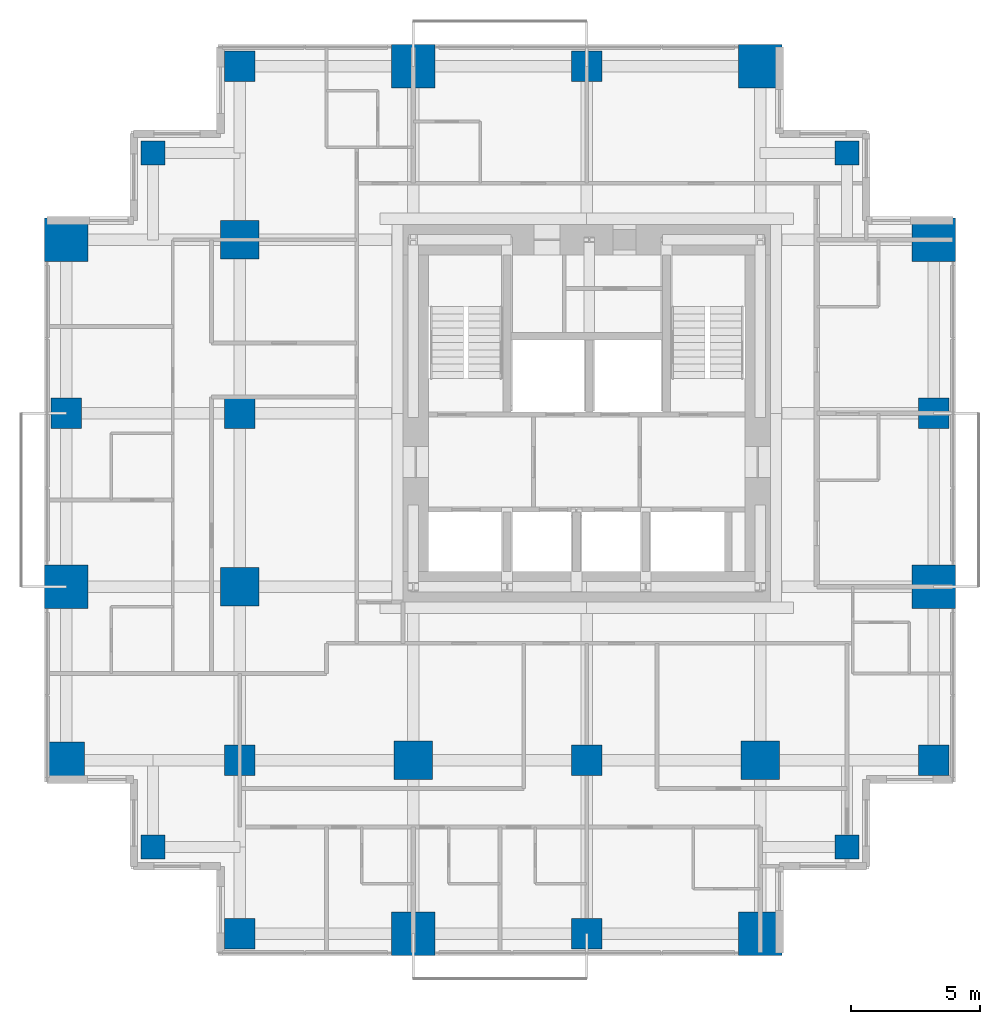
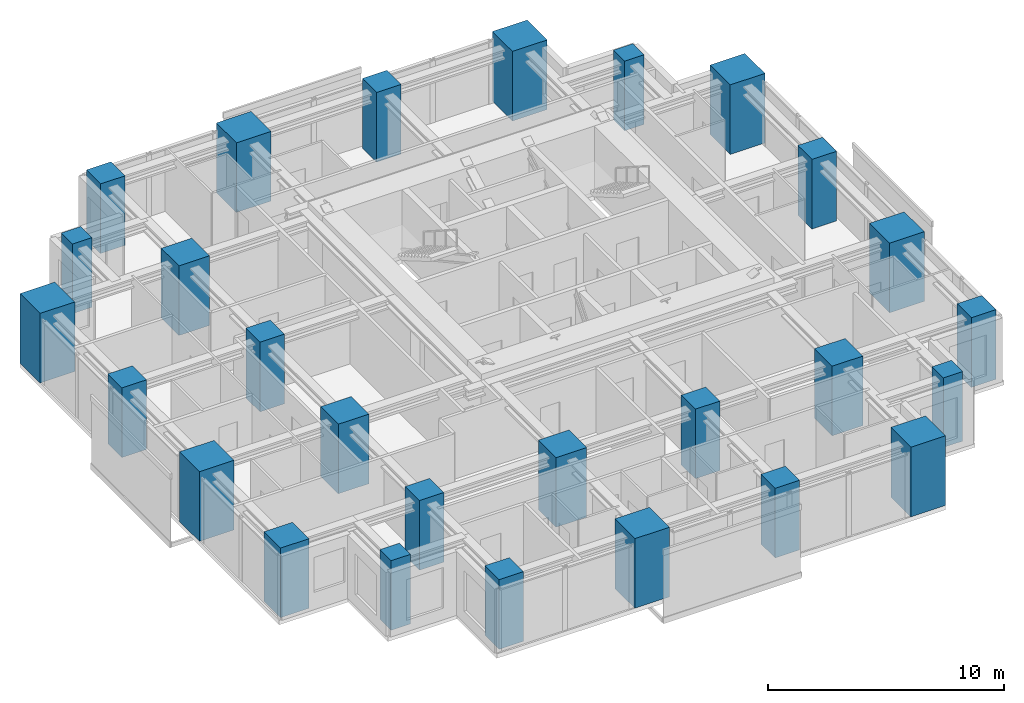
# One storey, part 1 of 10: 27 columns.
"""IFC4 building model written with IfcOpenShell, lengths in metres."""

from ifc_helpers import new_model, si_unit, direction, frame, origin, origin_2d, place, context, subcontext, project, spatial, rectangle, extrude, material, material_profile, profile_set, type_object, element, save


model = new_model("IFC4")

# Units and contexts
model_context = context("Model", 3, precision=1e-05, world=origin(), true_north=direction((0.0, 1.0)))
body_context = subcontext(model_context, "Body", "Model", "MODEL_VIEW")
ifc_project = project(units=[si_unit("LENGTHUNIT", "METRE"), si_unit("AREAUNIT", "SQUARE_METRE"), si_unit("VOLUMEUNIT", "CUBIC_METRE"), si_unit("PLANEANGLEUNIT", "RADIAN"), si_unit("MASSUNIT", "GRAM", prefix="KILO")], contexts=[model_context])

# Site, building, storey
site_placement = place(None, origin())
site = spatial("IfcSite", under=ifc_project, at=site_placement, CompositionType="ELEMENT")
building_placement = place(site_placement, origin())
building = spatial("IfcBuilding", under=site, at=building_placement, Name="Nyansa Garden Tower", CompositionType="ELEMENT")
storey_placement = place(building_placement, frame((0.0, 0.0, 196.199951171875)))
storey = spatial("IfcBuildingStorey", under=building, at=storey_placement, Name="L53", CompositionType="ELEMENT", Elevation=196.199951171875)

# Columns
ifc_material_1 = material(Name="Concrete C70/85", Category="concrete")
ifc_material_profile_1 = material_profile(ifc_material_1, rectangle(XDim=1.199951171875, YDim=1.199951171875, at=origin_2d()), Name="RC 1200x1200")
ifc_profile_set_1 = profile_set([ifc_material_profile_1], Name="Concrete C70/85")
column_type_1 = type_object("IfcColumnType", Name="Column C120 RC 1200x1200", PredefinedType="COLUMN", material=ifc_profile_set_1)
for number, where, z_axis, x_axis, name in (
    (1, (0.0, 20.25, 0.0), (0.0, 0.0, 1.0), (1.0, 0.0, 0.0), "Column 2/G L53"),
    (2, (6.75, 0.0, 0.0), (0.0, 0.0, 1.0), (1.0, 0.0, 0.0), "Column 3/D L53"),
    (3, (6.75, 6.75, 0.0), (0.0, 0.0, 1.0), (1.0, 0.0, 0.0), "Column 3/E L53"),
    (4, (6.75, 20.25, 0.0), (0.0, 0.0, 1.0), (1.0, 0.0, 0.0), "Column 3/G L53"),
    (5, (6.75, 33.75, 0.0), (0.0, 0.0, 1.0), (1.0, 0.0, 0.0), "Column 3/J L53"),
    (6, (20.25, 0.0, 0.0), (0.0, 0.0, 1.0), (1.0, 0.0, 0.0), "Column 5/D L53"),
    (7, (20.25, 6.75, 0.0), (0.0, 0.0, 1.0), (1.0, 0.0, 0.0), "Column 5/E L53"),
    (8, (20.25, 33.75, 0.0), (0.0, 0.0, 1.0), (1.0, 0.0, 0.0), "Column 5/J L53"),
    (9, (33.75, 6.75, 0.0), (0.0, 0.0, 1.0), (1.0, 0.0, 0.0), "Column 7/E L53"),
    (10, (33.75, 20.25, 0.0), (0.0, 0.0, 1.0), (1.0, 0.0, 0.0), "Column 7/G L53"),
):
    element("IfcColumn", number, at=place(storey_placement, frame(where, z_axis=z_axis, x_axis=x_axis)), inside=storey, type_object=column_type_1, Name=name, PredefinedType="COLUMN", context=body_context, shape_type="SweptSolid", body=[
        extrude(rectangle(XDim=1.199951171875, YDim=1.199951171875, at=origin_2d()), origin(), (0.0, 0.0, 1.0), 3.60009765625),
    ])
ifc_material_2 = material(Name="Concrete C80/95", Category="concrete")
ifc_material_profile_2 = material_profile(ifc_material_2, rectangle(XDim=1.39990234375, YDim=1.39990234375, at=origin_2d()), Name="RC 1400x1400")
ifc_profile_set_2 = profile_set([ifc_material_profile_2], Name="Concrete C80/95")
column_type_2 = type_object("IfcColumnType", Name="Column C140 RC 1400x1400", PredefinedType="COLUMN", material=ifc_profile_set_2)
column_placement = place(storey_placement, frame((0.0, 6.75, 0.0), z_axis=(0.0, 0.0, 1.0), x_axis=(1.0, 0.0, 0.0)))
element("IfcColumn", 11, at=column_placement, inside=storey, type_object=column_type_2, Name="Column 2/E L53", PredefinedType="COLUMN", context=body_context, shape_type="SweptSolid", body=[
    extrude(rectangle(XDim=1.39990234375, YDim=1.39990234375, at=origin_2d()), origin(), (0.0, 0.0, 1.0), 3.60009765625),
])
ifc_material_3 = material(Name="Concrete C80/95", Category="concrete")
ifc_material_profile_3 = material_profile(ifc_material_3, rectangle(XDim=1.5, YDim=1.5, at=origin_2d()), Name="RC 1500x1500")
ifc_profile_set_3 = profile_set([ifc_material_profile_3], Name="Concrete C80/95")
column_type_3 = type_object("IfcColumnType", Name="Column C150 RC 1500x1500", PredefinedType="COLUMN", material=ifc_profile_set_3)
for number, where, z_axis, x_axis, name in (
    (12, (6.75, 13.5, 0.0), (0.0, 0.0, 1.0), (1.0, 0.0, 0.0), "Column 3/F L53"),
    (13, (6.75, 27.0, 0.0), (0.0, 0.0, 1.0), (1.0, 0.0, 0.0), "Column 3/H L53"),
    (14, (13.5, 6.75, 0.0), (0.0, 0.0, 1.0), (1.0, 0.0, 0.0), "Column 4/E L53"),
    (15, (27.0, 6.75, 0.0), (0.0, 0.0, 1.0), (1.0, 0.0, 0.0), "Column 6/E L53"),
):
    element("IfcColumn", number, at=place(storey_placement, frame(where, z_axis=z_axis, x_axis=x_axis)), inside=storey, type_object=column_type_3, Name=name, PredefinedType="COLUMN", context=body_context, shape_type="SweptSolid", body=[
        extrude(rectangle(XDim=1.5, YDim=1.5, at=origin_2d()), origin(), (0.0, 0.0, 1.0), 3.60009765625),
    ])
ifc_material_4 = material(Name="Concrete C80/95", Category="concrete")
ifc_material_profile_4 = material_profile(ifc_material_4, rectangle(XDim=1.699951171875, YDim=1.699951171875, at=origin_2d()), Name="RC 1700x1700")
ifc_profile_set_4 = profile_set([ifc_material_profile_4], Name="Concrete C80/95")
column_type_4 = type_object("IfcColumnType", Name="Column C170 RC 1700x1700", PredefinedType="COLUMN", material=ifc_profile_set_4)
for number, where, z_axis, x_axis, name in (
    (16, (0.0, 13.5, 0.0), (0.0, 0.0, 1.0), (1.0, 0.0, 0.0), "Column 2/F L53"),
    (17, (0.0, 27.0, 0.0), (0.0, 0.0, 1.0), (1.0, 0.0, 0.0), "Column 2/H L53"),
    (18, (13.5, 0.0, 0.0), (0.0, 0.0, 1.0), (1.0, 0.0, 0.0), "Column 4/D L53"),
    (19, (13.5, 33.75, 0.0), (0.0, 0.0, 1.0), (1.0, 0.0, 0.0), "Column 4/J L53"),
    (20, (27.0, 0.0, 0.0), (0.0, 0.0, 1.0), (1.0, 0.0, 0.0), "Column 6/D L53"),
    (21, (27.0, 33.75, 0.0), (0.0, 0.0, 1.0), (1.0, 0.0, 0.0), "Column 6/J L53"),
    (22, (33.75, 13.5, 0.0), (0.0, 0.0, 1.0), (1.0, 0.0, 0.0), "Column 7/F L53"),
    (23, (33.75, 27.0, 0.0), (0.0, 0.0, 1.0), (1.0, 0.0, 0.0), "Column 7/H L53"),
):
    element("IfcColumn", number, at=place(storey_placement, frame(where, z_axis=z_axis, x_axis=x_axis)), inside=storey, type_object=column_type_4, Name=name, PredefinedType="COLUMN", context=body_context, shape_type="SweptSolid", body=[
        extrude(rectangle(XDim=1.699951171875, YDim=1.699951171875, at=origin_2d()), origin(), (0.0, 0.0, 1.0), 3.60009765625),
    ])
ifc_material_5 = material(Name="Concrete C70/85", Category="concrete")
ifc_material_profile_5 = material_profile(ifc_material_5, rectangle(XDim=0.949951171875, YDim=0.949951171875, at=origin_2d()), Name="RC 950x950")
ifc_profile_set_5 = profile_set([ifc_material_profile_5], Name="Concrete C70/85")
column_type_5 = type_object("IfcColumnType", Name="Column C95 RC 950x950", PredefinedType="COLUMN", material=ifc_profile_set_5)
for number, where, z_axis, x_axis, name in (
    (24, (3.375, 3.375, 0.0), (0.0, 0.0, 1.0), (1.0, 0.0, 0.0), "Column x3.375/y3.375 L53"),
    (25, (3.375, 30.375, 0.0), (0.0, 0.0, 1.0), (1.0, 0.0, 0.0), "Column x3.375/y30.375 L53"),
    (26, (30.375, 3.375, 0.0), (0.0, 0.0, 1.0), (1.0, 0.0, 0.0), "Column x30.375/y3.375 L53"),
    (27, (30.375, 30.375, 0.0), (0.0, 0.0, 1.0), (1.0, 0.0, 0.0), "Column x30.375/y30.375 L53"),
):
    element("IfcColumn", number, at=place(storey_placement, frame(where, z_axis=z_axis, x_axis=x_axis)), inside=storey, type_object=column_type_5, Name=name, PredefinedType="COLUMN", context=body_context, shape_type="SweptSolid", body=[
        extrude(rectangle(XDim=0.949951171875, YDim=0.949951171875, at=origin_2d()), origin(), (0.0, 0.0, 1.0), 3.60009765625),
    ])

save(model, "model.ifc")
